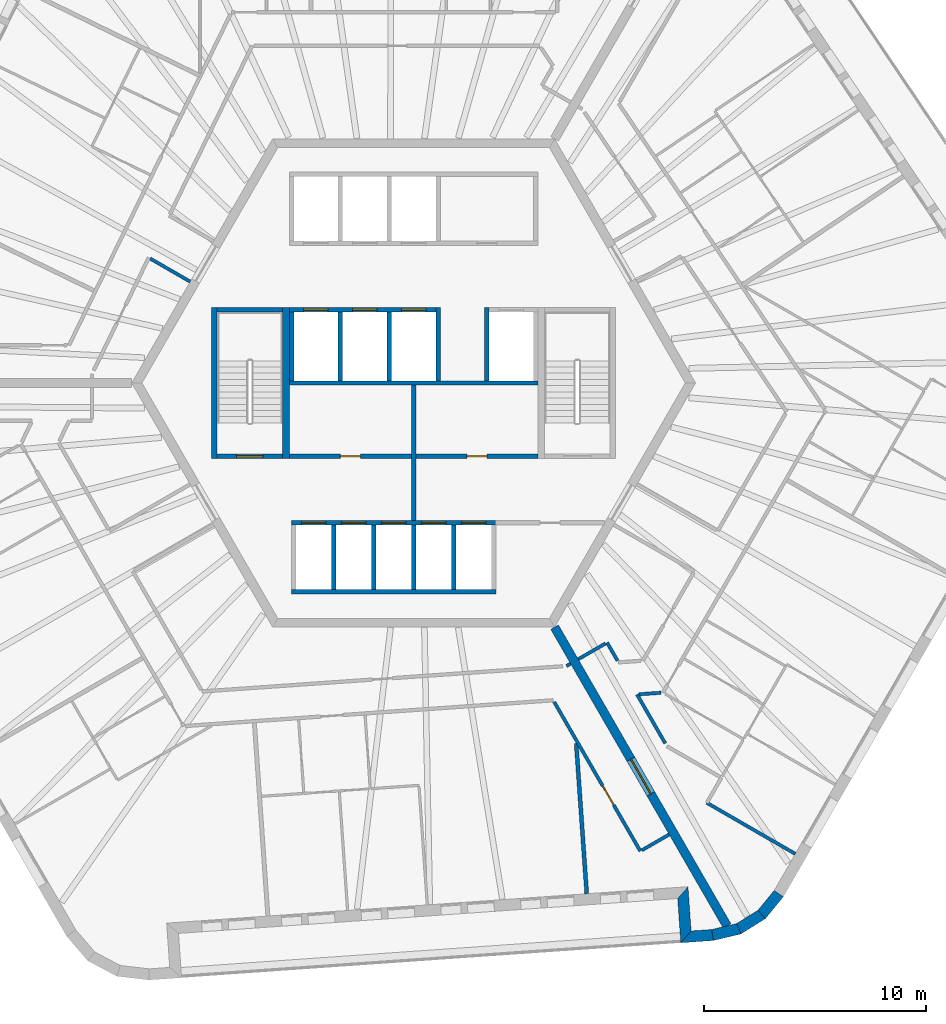
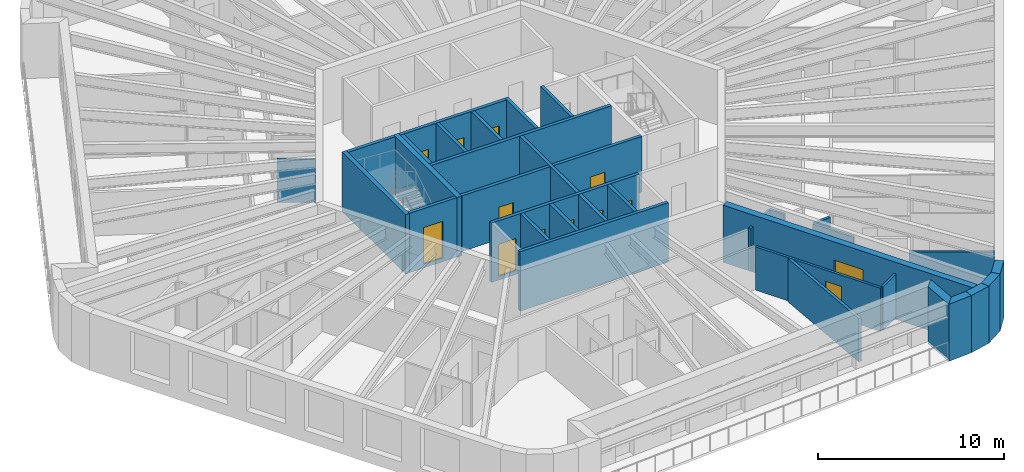
# One storey, part 5 of 12: 36 walls, 13 doors, 13 openings.
"""IFC4 building model written with IfcOpenShell, lengths in metres."""

from ifc_helpers import new_model, si_unit, direction, frame, frame_2d, origin, place, context, subcontext, project, spatial, polyline, rectangle, outline, extrude, material, layer, layer_set, type_object, element, fill, save


model = new_model("IFC4")

# Units and contexts
model_context = context("Model", 3, precision=1e-05, world=origin(), true_north=direction((0.0, 1.0)))
body_context = subcontext(model_context, "Body", "Model", "MODEL_VIEW")
ifc_project = project(units=[si_unit("LENGTHUNIT", "METRE"), si_unit("AREAUNIT", "SQUARE_METRE"), si_unit("VOLUMEUNIT", "CUBIC_METRE"), si_unit("PLANEANGLEUNIT", "RADIAN"), si_unit("MASSUNIT", "GRAM", prefix="KILO")], contexts=[model_context])

# Site, building, storey
site_placement = place(None, origin())
site = spatial("IfcSite", under=ifc_project, at=site_placement, CompositionType="ELEMENT")
building_placement = place(site_placement, origin())
building = spatial("IfcBuilding", under=site, at=building_placement, Name="Tarnside Tower", CompositionType="ELEMENT")
storey_placement = place(building_placement, frame((0.0, 0.0, 334.199951171875)))
storey = spatial("IfcBuildingStorey", under=building, at=storey_placement, Name="L81", CompositionType="ELEMENT", Elevation=334.199951171875)

# Wall, opening, door
ifc_material_1 = material(Name="Concrete C40/50", Category="concrete")
ifc_layer_1 = layer(ifc_material_1, 0.199951171875)
ifc_layer_set_1 = layer_set([ifc_layer_1], Name="Core room partition 200 C40/50")
wall_type_1 = type_object("IfcWallType", Name="Core room partition 200 C40/50", PredefinedType="PARTITIONING", material=ifc_layer_set_1)
wall_1_placement = place(storey_placement, frame((-5.60009765625, -3.300048828125, 0.0), z_axis=(0.0, 0.0, 1.0), x_axis=(1.0, 0.0, 0.0)))
wall_1 = element("IfcWall", 1, at=wall_1_placement, inside=storey, type_object=wall_type_1, Name="L81 core partition W3", PredefinedType="PARTITIONING", context=body_context, shape_type="SweptSolid", body=[
    extrude(rectangle(XDim=5.5, YDim=0.199951171875, at=frame_2d((2.75, 0.0))), origin(), (0.0, 0.0, 1.0), 3.650146484375),
])
opening_1_placement = place(wall_1_placement, frame((2.300048828125, 0.0, 0.0)))
opening_1 = element("IfcOpeningElement", 2, at=opening_1_placement, cuts=wall_1, Name="Opening CD-room", PredefinedType="OPENING", context=body_context, shape_type="SweptSolid", body=[
    extrude(rectangle(XDim=0.89990234375, YDim=2.10009765625, at=frame_2d((0.449951171875, 1.050048828125))), frame((0.0, 0.10986328125, 0.0), z_axis=(0.0, -1.0, 0.0), x_axis=(1.0, 0.0, 0.0)), (0.0, 0.0, 1.0), 0.219970703125),
])
ifc_material_2 = material(Name="Steel fire door", Category="steel")
door_type_1 = type_object("IfcDoorType", Name="Room door FD60 900x2100", OperationType="NOTDEFINED", PredefinedType="DOOR", material=ifc_material_2)
door_1_placement = place(opening_1_placement, origin())
door_1 = element("IfcDoor", 3, at=door_1_placement, inside=storey, type_object=door_type_1, Name="L81 core room door W3D", OperationType="SINGLE_SWING_LEFT", OverallHeight=2.10009765625, OverallWidth=0.89990234375, PredefinedType="DOOR", context=body_context, shape_type="SweptSolid", body=[
    extrude(rectangle(XDim=0.89990234375, YDim=2.10009765625, at=frame_2d((0.449951171875, 1.050048828125))), frame((0.0, 0.02490234375, 0.0), z_axis=(0.0, -1.0, 0.0), x_axis=(1.0, 0.0, 0.0)), (0.0, 0.0, 1.0), 0.050048828125),
])
fill(opening_1, door_1)

wall_2_placement = place(storey_placement, frame((0.10009765625, -3.300048828125, 0.0), z_axis=(0.0, 0.0, 1.0), x_axis=(1.0, 0.0, 0.0)))
wall_2 = element("IfcWall", 4, at=wall_2_placement, inside=storey, type_object=wall_type_1, Name="L81 core partition R3S1", PredefinedType="PARTITIONING", context=body_context, shape_type="SweptSolid", body=[
    extrude(rectangle(XDim=5.5, YDim=0.199951171875, at=frame_2d((2.75, 0.0))), origin(), (0.0, 0.0, 1.0), 3.650146484375),
])
opening_2_placement = place(wall_2_placement, frame((2.300048828125, 0.0, 0.0)))
opening_2 = element("IfcOpeningElement", 5, at=opening_2_placement, cuts=wall_2, Name="Opening CD-room", PredefinedType="OPENING", context=body_context, shape_type="SweptSolid", body=[
    extrude(rectangle(XDim=0.89990234375, YDim=2.10009765625, at=frame_2d((0.449951171875, 1.050048828125))), frame((0.0, 0.10986328125, 0.0), z_axis=(0.0, -1.0, 0.0), x_axis=(1.0, 0.0, 0.0)), (0.0, 0.0, 1.0), 0.219970703125),
])
door_2_placement = place(opening_2_placement, origin())
door_2 = element("IfcDoor", 6, at=door_2_placement, inside=storey, type_object=door_type_1, Name="L81 core room door SR1", OperationType="SINGLE_SWING_LEFT", OverallHeight=2.10009765625, OverallWidth=0.89990234375, PredefinedType="DOOR", context=body_context, shape_type="SweptSolid", body=[
    extrude(rectangle(XDim=0.89990234375, YDim=2.10009765625, at=frame_2d((0.449951171875, 1.050048828125))), frame((0.0, 0.02490234375, 0.0), z_axis=(0.0, -1.0, 0.0), x_axis=(1.0, 0.0, 0.0)), (0.0, 0.0, 1.0), 0.050048828125),
])
fill(opening_2, door_2)

# Wall
wall_3_placement = place(storey_placement, frame((0.0, -6.199951171875, 0.0), z_axis=(0.0, 0.0, 1.0), x_axis=(0.0, 1.0, 0.0)))
element("IfcWall", 7, at=wall_3_placement, inside=storey, type_object=wall_type_1, Name="L81 core partition X0", PredefinedType="PARTITIONING", context=body_context, shape_type="SweptSolid", body=[
    extrude(rectangle(XDim=6.099853515625, YDim=0.199951171875, at=frame_2d((3.0498046875, 0.0))), origin(), (0.0, 0.0, 1.0), 3.650146484375),
])

# Wall, opening, door
ifc_material_3 = material(Name="Concrete C60/75", Category="concrete")
ifc_layer_2 = layer(ifc_material_3, 0.39990234375)
ifc_layer_set_2 = layer_set([ifc_layer_2], Name="Core wall Z3 400 C60/75")
wall_type_2 = type_object("IfcWallType", Name="Core wall Z3 400 C60/75", PredefinedType="SHEAR", material=ifc_layer_set_2)
wall_4_placement = place(storey_placement, frame((6.350830078125, -11.0, -0.14990234375), z_axis=(0.0, 0.0, 1.0), x_axis=(0.499998894578, -0.866026041999, 0.0)))
wall_4 = element("IfcWall", 8, at=wall_4_placement, inside=storey, type_object=wall_type_2, Name="L81 spine wall 3", PredefinedType="SHEAR", context=body_context, shape_type="SweptSolid", body=[
    extrude(rectangle(XDim=15.54443359375, YDim=0.39990234375, at=frame_2d((7.772216796875, 0.0))), origin(), (0.0, 0.0, 1.0), 3.75),
])
opening_3_placement = place(wall_4_placement, frame((6.872314453125, 0.0, 0.14990234375)))
opening_3 = element("IfcOpeningElement", 9, at=opening_3_placement, cuts=wall_4, Name="Opening CD-SPN", PredefinedType="OPENING", context=body_context, shape_type="SweptSolid", body=[
    extrude(rectangle(XDim=1.800048828125, YDim=2.39990234375, at=frame_2d((0.89990234375, 1.199951171875))), frame((0.0, 0.2099609375, 0.0), z_axis=(0.0, -1.0, 0.0), x_axis=(1.0, 0.0, 0.0)), (0.0, 0.0, 1.0), 0.419921875),
])
door_type_2 = type_object("IfcDoorType", Name="Spine passage double door FD60 1800x2400", OperationType="NOTDEFINED", PredefinedType="DOOR", material=ifc_material_2)
door_3_placement = place(opening_3_placement, origin())
door_3 = element("IfcDoor", 10, at=door_3_placement, inside=storey, type_object=door_type_2, Name="L81 spine passage door 3", OperationType="DOUBLE_DOOR_SINGLE_SWING", OverallHeight=2.39990234375, OverallWidth=1.800048828125, PredefinedType="DOOR", context=body_context, shape_type="SweptSolid", body=[
    extrude(rectangle(XDim=1.800048828125, YDim=2.39990234375, at=frame_2d((0.89990234375, 1.199951171875))), frame((0.0, 0.02490234375, 0.0), z_axis=(0.0, -1.0, 0.0), x_axis=(1.0, 0.0, 0.0)), (0.0, 0.0, 1.0), 0.050048828125),
])
fill(opening_3, door_3)

# Wall
ifc_material_4 = material(Name="Gypsum board partition on steel studs", Category="steel")
ifc_layer_3 = layer(ifc_material_4, 0.14990234375)
ifc_layer_set_3 = layer_set([ifc_layer_3], Name="Corridor wall 150 EI 60")
wall_type_3 = type_object("IfcWallType", Name="Corridor wall 150 EI 60", PredefinedType="PARTITIONING", material=ifc_layer_set_3)
wall_5_placement = place(storey_placement, frame((-11.868408203125, 5.6064453125, 0.0), z_axis=(0.0, 0.0, 1.0), x_axis=(0.866033244403, -0.499986419405, 0.0)))
element("IfcWall", 11, at=wall_5_placement, inside=storey, type_object=wall_type_3, Name="Corridor wall 26025", PredefinedType="PARTITIONING", context=body_context, shape_type="SweptSolid", body=[
    extrude(rectangle(XDim=2.08154296875, YDim=0.14990234375, at=frame_2d((1.040771484375, 0.0))), origin(), (0.0, 0.0, 1.0), 2.837890625),
])

# Wall, opening, door
wall_6_placement = place(storey_placement, frame((6.33251953125, -14.3681640625, 0.0), z_axis=(0.0, 0.0, 1.0), x_axis=(0.499977396983, -0.866038453249, 0.0)))
wall_6 = element("IfcWall", 12, at=wall_6_placement, inside=storey, type_object=wall_type_3, Name="Corridor wall 26040", PredefinedType="PARTITIONING", context=body_context, shape_type="SweptSolid", body=[
    extrude(rectangle(XDim=7.764404296875, YDim=0.14990234375, at=frame_2d((3.88232421875, 0.0))), origin(), (0.0, 0.0, 1.0), 2.837890625),
])
opening_4_placement = place(wall_6_placement, frame((4.363525390625, 0.0, 0.0)))
opening_4 = element("IfcOpeningElement", 13, at=opening_4_placement, cuts=wall_6, Name="Opening D-E1", PredefinedType="OPENING", context=body_context, shape_type="SweptSolid", body=[
    extrude(rectangle(XDim=1.0, YDim=2.10009765625, at=frame_2d((0.5, 1.050048828125))), frame((0.0, 0.0849609375, 0.0), z_axis=(0.0, -1.0, 0.0), x_axis=(1.0, 0.0, 0.0)), (0.0, 0.0, 1.0), 0.169921875),
])
ifc_material_5 = material(Name="Timber door leaf", Category="wood")
door_type_3 = type_object("IfcDoorType", Name="Unit entrance door 1000 FD30S", OperationType="NOTDEFINED", PredefinedType="DOOR", material=ifc_material_5)
door_4_placement = place(opening_4_placement, origin())
door_4 = element("IfcDoor", 14, at=door_4_placement, inside=storey, type_object=door_type_3, Name="Unit door 26039", OperationType="SINGLE_SWING_RIGHT", OverallHeight=2.10009765625, OverallWidth=1.0, PredefinedType="DOOR", context=body_context, shape_type="SweptSolid", body=[
    extrude(rectangle(XDim=1.0, YDim=2.10009765625, at=frame_2d((0.5, 1.050048828125))), frame((0.0, 0.02490234375, 0.0), z_axis=(0.0, -1.0, 0.0), x_axis=(1.0, 0.0, 0.0)), (0.0, 0.0, 1.0), 0.050048828125),
])
fill(opening_4, door_4)

# Walls
wall_7_placement = place(storey_placement, frame((10.27978515625, -21.054931640625, 0.0), z_axis=(0.0, 0.0, 1.0), x_axis=(0.866020080793, 0.500009219579, 0.0)))
element("IfcWall", 15, at=wall_7_placement, inside=storey, type_object=wall_type_3, Name="Corridor wall 26044", PredefinedType="PARTITIONING", context=body_context, shape_type="SweptSolid", body=[
    extrude(rectangle(XDim=1.4248046875, YDim=0.14990234375, at=frame_2d((0.71240234375, 0.0))), origin(), (0.0, 0.0, 1.0), 2.837890625),
])
wall_8_placement = place(storey_placement, frame((7.070068359375, -12.6455078125, 0.0), z_axis=(0.0, 0.0, 1.0), x_axis=(-0.866378867349, -0.499387282788, 0.0)))
element("IfcWall", 16, at=wall_8_placement, inside=storey, type_object=wall_type_3, Name="Corridor wall 26050", PredefinedType="PARTITIONING", context=body_context, shape_type="SweptSolid", body=[
    extrude(rectangle(XDim=0.210205078125, YDim=0.14990234375, at=frame_2d((0.10498046875, 0.0))), origin(), (0.0, 0.0, 1.0), 2.837890625),
])
wall_9_placement = place(storey_placement, frame((17.196044921875, -21.215576171875, 0.0), z_axis=(0.0, 0.0, 1.0), x_axis=(-0.866032643562, 0.499987460128, 0.0)))
element("IfcWall", 17, at=wall_9_placement, inside=storey, type_object=wall_type_3, Name="Corridor wall 26058", PredefinedType="PARTITIONING", context=body_context, shape_type="SweptSolid", body=[
    extrude(rectangle(XDim=4.5986328125, YDim=0.14990234375, at=frame_2d((2.29931640625, 0.0))), origin(), (0.0, 0.0, 1.0), 2.837890625),
])
wall_10_placement = place(storey_placement, frame((11.336669921875, -16.235595703125, 0.0), z_axis=(0.0, 0.0, 1.0), x_axis=(-0.500029781311, 0.866008208854, 0.0)))
element("IfcWall", 18, at=wall_10_placement, inside=storey, type_object=wall_type_3, Name="Corridor wall 26060", PredefinedType="PARTITIONING", context=body_context, shape_type="SweptSolid", body=[
    extrude(rectangle(XDim=2.544189453125, YDim=0.14990234375, at=frame_2d((1.27197265625, 0.0))), origin(), (0.0, 0.0, 1.0), 2.837890625),
])
wall_11_placement = place(storey_placement, frame((10.147705078125, -14.0263671875, 0.0), z_axis=(0.0, 0.0, 1.0), x_axis=(0.99756238904, 0.069780226228, 0.0)))
element("IfcWall", 19, at=wall_11_placement, inside=storey, type_object=wall_type_3, Name="Corridor wall 26061", PredefinedType="PARTITIONING", context=body_context, shape_type="SweptSolid", body=[
    extrude(rectangle(XDim=0.99365234375, YDim=0.14990234375, at=frame_2d((0.496826171875, 0.0))), origin(), (0.0, 0.0, 1.0), 2.837890625),
])
wall_12_placement = place(storey_placement, frame((9.188232421875, -12.5146484375, 0.0), z_axis=(0.0, 0.0, 1.0), x_axis=(-0.499998034377, 0.866026538634, 0.0)))
element("IfcWall", 20, at=wall_12_placement, inside=storey, type_object=wall_type_3, Name="Corridor wall 26075", PredefinedType="PARTITIONING", context=body_context, shape_type="SweptSolid", body=[
    extrude(rectangle(XDim=0.94580078125, YDim=0.14990234375, at=frame_2d((0.472900390625, 0.0))), origin(), (0.0, 0.0, 1.0), 2.837890625),
])
wall_13_placement = place(storey_placement, frame((8.650390625, -11.733154296875, 0.0), z_axis=(0.0, 0.0, 1.0), x_axis=(-0.866062911188, -0.499935029643, 0.0)))
element("IfcWall", 21, at=wall_13_placement, inside=storey, type_object=wall_type_3, Name="Corridor wall 26076", PredefinedType="PARTITIONING", context=body_context, shape_type="SweptSolid", body=[
    extrude(rectangle(XDim=1.425048828125, YDim=0.14990234375, at=frame_2d((0.71240234375, 0.0))), origin(), (0.0, 0.0, 1.0), 2.837890625),
])
ifc_layer_4 = layer(ifc_material_4, 0.179931640625)
ifc_layer_set_4 = layer_set([ifc_layer_4], Name="Demising wall 180 EI 60")
wall_type_4 = type_object("IfcWallType", Name="Demising wall 180 EI 60", PredefinedType="PARTITIONING", material=ifc_layer_set_4)
wall_14_placement = place(storey_placement, frame((7.799560546875, -23.011962890625, 0.0), z_axis=(0.0, 0.0, 1.0), x_axis=(-0.069757205717, 0.997563999075, 0.0)))
element("IfcWall", 22, at=wall_14_placement, inside=storey, type_object=wall_type_4, Name="Demising wall 26131", PredefinedType="PARTITIONING", context=body_context, shape_type="SweptSolid", body=[
    extrude(rectangle(XDim=6.789794921875, YDim=0.179931640625, at=frame_2d((3.39501953125, 0.0))), origin(), (0.0, 0.0, 1.0), 2.837890625),
])

# Wall, openings, doors
ifc_layer_5 = layer(ifc_material_1, 0.199951171875)
ifc_layer_set_5 = layer_set([ifc_layer_5], Name="Lift shaft wall 200 C40/50")
wall_type_5 = type_object("IfcWallType", Name="Lift shaft wall 200 C40/50", PredefinedType="SHEAR", material=ifc_layer_set_5)
wall_15_placement = place(storey_placement, frame((-5.60009765625, 3.300048828125, -0.25), z_axis=(0.0, 0.0, 1.0), x_axis=(1.0, 0.0, 0.0)))
wall_15 = element("IfcWall", 23, at=wall_15_placement, inside=storey, type_object=wall_type_5, Name="L81 lift shaft front wall R2", PredefinedType="SHEAR", context=body_context, shape_type="SweptSolid", body=[
    extrude(rectangle(XDim=6.60009765625, YDim=0.199951171875, at=frame_2d((3.300048828125, 0.0))), origin(), (0.0, 0.0, 1.0), 3.900146484375),
])
opening_5_placement = place(wall_15_placement, frame((0.64990234375, 0.0, 0.25)))
opening_5 = element("IfcOpeningElement", 24, at=opening_5_placement, cuts=wall_15, Name="Opening LD", PredefinedType="OPENING", context=body_context, shape_type="SweptSolid", body=[
    extrude(rectangle(XDim=1.10009765625, YDim=2.10009765625, at=frame_2d((0.550048828125, 1.050048828125))), frame((0.0, 0.10986328125, 0.0), z_axis=(0.0, -1.0, 0.0), x_axis=(1.0, 0.0, 0.0)), (0.0, 0.0, 1.0), 0.219970703125),
])
opening_6_placement = place(wall_15_placement, frame((2.85009765625, 0.0, 0.25)))
opening_6 = element("IfcOpeningElement", 25, at=opening_6_placement, cuts=wall_15, Name="Opening LD", PredefinedType="OPENING", context=body_context, shape_type="SweptSolid", body=[
    extrude(rectangle(XDim=1.10009765625, YDim=2.10009765625, at=frame_2d((0.550048828125, 1.050048828125))), frame((0.0, 0.10986328125, 0.0), z_axis=(0.0, -1.0, 0.0), x_axis=(1.0, 0.0, 0.0)), (0.0, 0.0, 1.0), 0.219970703125),
])
opening_7_placement = place(wall_15_placement, frame((5.050048828125, 0.0, 0.25)))
opening_7 = element("IfcOpeningElement", 26, at=opening_7_placement, cuts=wall_15, Name="Opening LD", PredefinedType="OPENING", context=body_context, shape_type="SweptSolid", body=[
    extrude(rectangle(XDim=1.10009765625, YDim=2.10009765625, at=frame_2d((0.550048828125, 1.050048828125))), frame((0.0, 0.10986328125, 0.0), z_axis=(0.0, -1.0, 0.0), x_axis=(1.0, 0.0, 0.0)), (0.0, 0.0, 1.0), 0.219970703125),
])
ifc_material_6 = material(Name="Stainless steel", Category="steel")
door_type_4 = type_object("IfcDoorType", Name="Lift landing door 1100x2100", OperationType="NOTDEFINED", PredefinedType="DOOR", material=ifc_material_6)
door_5_placement = place(opening_5_placement, origin())
door_5 = element("IfcDoor", 27, at=door_5_placement, inside=storey, type_object=door_type_4, Name="High-rise lift 4 landing door L81", OperationType="SLIDING_TO_LEFT", OverallHeight=2.10009765625, OverallWidth=1.10009765625, PredefinedType="DOOR", context=body_context, shape_type="SweptSolid", body=[
    extrude(rectangle(XDim=1.10009765625, YDim=2.10009765625, at=frame_2d((0.550048828125, 1.050048828125))), frame((0.0, 0.02490234375, 0.0), z_axis=(0.0, -1.0, 0.0), x_axis=(1.0, 0.0, 0.0)), (0.0, 0.0, 1.0), 0.050048828125),
])
fill(opening_5, door_5)
door_6_placement = place(opening_6_placement, origin())
door_6 = element("IfcDoor", 28, at=door_6_placement, inside=storey, type_object=door_type_4, Name="High-rise lift 5 landing door L81", OperationType="SLIDING_TO_LEFT", OverallHeight=2.10009765625, OverallWidth=1.10009765625, PredefinedType="DOOR", context=body_context, shape_type="SweptSolid", body=[
    extrude(rectangle(XDim=1.10009765625, YDim=2.10009765625, at=frame_2d((0.550048828125, 1.050048828125))), frame((0.0, 0.02490234375, 0.0), z_axis=(0.0, -1.0, 0.0), x_axis=(1.0, 0.0, 0.0)), (0.0, 0.0, 1.0), 0.050048828125),
])
fill(opening_6, door_6)
door_7_placement = place(opening_7_placement, origin())
door_7 = element("IfcDoor", 29, at=door_7_placement, inside=storey, type_object=door_type_4, Name="High-rise lift 6 landing door L81", OperationType="SLIDING_TO_LEFT", OverallHeight=2.10009765625, OverallWidth=1.10009765625, PredefinedType="DOOR", context=body_context, shape_type="SweptSolid", body=[
    extrude(rectangle(XDim=1.10009765625, YDim=2.10009765625, at=frame_2d((0.550048828125, 1.050048828125))), frame((0.0, 0.02490234375, 0.0), z_axis=(0.0, -1.0, 0.0), x_axis=(1.0, 0.0, 0.0)), (0.0, 0.0, 1.0), 0.050048828125),
])
fill(opening_7, door_7)

# Walls
wall_16_placement = place(storey_placement, frame((-5.60009765625, 0.0, -0.25), z_axis=(0.0, 0.0, 1.0), x_axis=(1.0, 0.0, 0.0)))
element("IfcWall", 30, at=wall_16_placement, inside=storey, type_object=wall_type_5, Name="L81 lift shaft back wall R2", PredefinedType="SHEAR", context=body_context, shape_type="SweptSolid", body=[
    extrude(rectangle(XDim=11.2001953125, YDim=0.199951171875, at=frame_2d((5.60009765625, 0.0))), origin(), (0.0, 0.0, 1.0), 3.900146484375),
])
for number, where, z_axis, x_axis, name in (
    (31, (-5.5, 0.10009765625, -0.25), (0.0, 0.0, 1.0), (0.0, 1.0, 0.0), "L81 lift shaft partition R21"),
    (32, (-3.300048828125, 0.10009765625, -0.25), (0.0, 0.0, 1.0), (0.0, 1.0, 0.0), "L81 lift shaft partition R22"),
    (33, (-1.10009765625, 0.10009765625, -0.25), (0.0, 0.0, 1.0), (0.0, 1.0, 0.0), "L81 lift shaft partition R23"),
):
    element("IfcWall", number, at=place(storey_placement, frame(where, z_axis=z_axis, x_axis=x_axis)), inside=storey, type_object=wall_type_5, Name=name, PredefinedType="SHEAR", context=body_context, shape_type="SweptSolid", body=[
        extrude(rectangle(XDim=3.099853515625, YDim=0.199951171875, at=frame_2d((1.5498046875, 0.0))), origin(), (0.0, 0.0, 1.0), 3.900146484375),
    ])
for number, where, z_axis, x_axis, name in (
    (34, (1.10009765625, 0.10009765625, -0.25), (0.0, 0.0, 1.0), (0.0, 1.0, 0.0), "L81 lift shaft partition R24"),
    (35, (3.300048828125, 0.10009765625, -0.25), (0.0, 0.0, 1.0), (0.0, 1.0, 0.0), "L81 lift shaft partition R25"),
):
    element("IfcWall", number, at=place(storey_placement, frame(where, z_axis=z_axis, x_axis=x_axis)), inside=storey, type_object=wall_type_5, Name=name, PredefinedType="SHEAR", context=body_context, shape_type="SweptSolid", body=[
        extrude(rectangle(XDim=3.2998046875, YDim=0.199951171875, at=frame_2d((1.64990234375, 0.0))), origin(), (0.0, 0.0, 1.0), 3.900146484375),
    ])

# Wall, openings, doors
wall_17_placement = place(storey_placement, frame((-5.5, -6.300048828125, -0.25), z_axis=(0.0, 0.0, 1.0), x_axis=(1.0, 0.0, 0.0)))
wall_17 = element("IfcWall", 36, at=wall_17_placement, inside=storey, type_object=wall_type_5, Name="L81 lift shaft front wall R4", PredefinedType="SHEAR", context=body_context, shape_type="SweptSolid", body=[
    extrude(rectangle(XDim=9.199951171875, YDim=0.199951171875, at=frame_2d((4.60009765625, 0.0))), origin(), (0.0, 0.0, 1.0), 3.900146484375),
])
opening_8_placement = place(wall_17_placement, frame((0.449951171875, 0.0, 0.25)))
opening_8 = element("IfcOpeningElement", 37, at=opening_8_placement, cuts=wall_17, Name="Opening LDF", PredefinedType="OPENING", context=body_context, shape_type="SweptSolid", body=[
    extrude(rectangle(XDim=1.10009765625, YDim=2.10009765625, at=frame_2d((0.550048828125, 1.050048828125))), frame((0.0, 0.10986328125, 0.0), z_axis=(0.0, -1.0, 0.0), x_axis=(1.0, 0.0, 0.0)), (0.0, 0.0, 1.0), 0.219970703125),
])
opening_9_placement = place(wall_17_placement, frame((2.25, 0.0, 0.25)))
opening_9 = element("IfcOpeningElement", 38, at=opening_9_placement, cuts=wall_17, Name="Opening LDF", PredefinedType="OPENING", context=body_context, shape_type="SweptSolid", body=[
    extrude(rectangle(XDim=1.10009765625, YDim=2.10009765625, at=frame_2d((0.550048828125, 1.050048828125))), frame((0.0, 0.10986328125, 0.0), z_axis=(0.0, -1.0, 0.0), x_axis=(1.0, 0.0, 0.0)), (0.0, 0.0, 1.0), 0.219970703125),
])
opening_10_placement = place(wall_17_placement, frame((4.050048828125, 0.0, 0.25)))
opening_10 = element("IfcOpeningElement", 39, at=opening_10_placement, cuts=wall_17, Name="Opening LDF", PredefinedType="OPENING", context=body_context, shape_type="SweptSolid", body=[
    extrude(rectangle(XDim=1.10009765625, YDim=2.10009765625, at=frame_2d((0.550048828125, 1.050048828125))), frame((0.0, 0.10986328125, 0.0), z_axis=(0.0, -1.0, 0.0), x_axis=(1.0, 0.0, 0.0)), (0.0, 0.0, 1.0), 0.219970703125),
])
opening_11_placement = place(wall_17_placement, frame((5.85009765625, 0.0, 0.25)))
opening_11 = element("IfcOpeningElement", 40, at=opening_11_placement, cuts=wall_17, Name="Opening LDF", PredefinedType="OPENING", context=body_context, shape_type="SweptSolid", body=[
    extrude(rectangle(XDim=1.10009765625, YDim=2.10009765625, at=frame_2d((0.550048828125, 1.050048828125))), frame((0.0, 0.10986328125, 0.0), z_axis=(0.0, -1.0, 0.0), x_axis=(1.0, 0.0, 0.0)), (0.0, 0.0, 1.0), 0.219970703125),
])
opening_12_placement = place(wall_17_placement, frame((7.64990234375, 0.0, 0.25)))
opening_12 = element("IfcOpeningElement", 41, at=opening_12_placement, cuts=wall_17, Name="Opening LDF", PredefinedType="OPENING", context=body_context, shape_type="SweptSolid", body=[
    extrude(rectangle(XDim=1.10009765625, YDim=2.10009765625, at=frame_2d((0.550048828125, 1.050048828125))), frame((0.0, 0.10986328125, 0.0), z_axis=(0.0, -1.0, 0.0), x_axis=(1.0, 0.0, 0.0)), (0.0, 0.0, 1.0), 0.219970703125),
])
door_type_5 = type_object("IfcDoorType", Name="Lift landing door 1100x2100 EI 120", OperationType="NOTDEFINED", PredefinedType="DOOR", material=ifc_material_6)
door_8_placement = place(opening_8_placement, origin())
door_8 = element("IfcDoor", 42, at=door_8_placement, inside=storey, type_object=door_type_5, Name="Firefighting lift 1 landing door L81", OperationType="SLIDING_TO_LEFT", OverallHeight=2.10009765625, OverallWidth=1.10009765625, PredefinedType="DOOR", context=body_context, shape_type="SweptSolid", body=[
    extrude(rectangle(XDim=1.10009765625, YDim=2.10009765625, at=frame_2d((0.550048828125, 1.050048828125))), frame((0.0, 0.02490234375, 0.0), z_axis=(0.0, -1.0, 0.0), x_axis=(1.0, 0.0, 0.0)), (0.0, 0.0, 1.0), 0.050048828125),
])
fill(opening_8, door_8)
door_9_placement = place(opening_9_placement, origin())
door_9 = element("IfcDoor", 43, at=door_9_placement, inside=storey, type_object=door_type_5, Name="Firefighting lift 2 landing door L81", OperationType="SLIDING_TO_LEFT", OverallHeight=2.10009765625, OverallWidth=1.10009765625, PredefinedType="DOOR", context=body_context, shape_type="SweptSolid", body=[
    extrude(rectangle(XDim=1.10009765625, YDim=2.10009765625, at=frame_2d((0.550048828125, 1.050048828125))), frame((0.0, 0.02490234375, 0.0), z_axis=(0.0, -1.0, 0.0), x_axis=(1.0, 0.0, 0.0)), (0.0, 0.0, 1.0), 0.050048828125),
])
fill(opening_9, door_9)
door_10_placement = place(opening_10_placement, origin())
door_10 = element("IfcDoor", 44, at=door_10_placement, inside=storey, type_object=door_type_5, Name="Firefighting lift 3 landing door L81", OperationType="SLIDING_TO_LEFT", OverallHeight=2.10009765625, OverallWidth=1.10009765625, PredefinedType="DOOR", context=body_context, shape_type="SweptSolid", body=[
    extrude(rectangle(XDim=1.10009765625, YDim=2.10009765625, at=frame_2d((0.550048828125, 1.050048828125))), frame((0.0, 0.02490234375, 0.0), z_axis=(0.0, -1.0, 0.0), x_axis=(1.0, 0.0, 0.0)), (0.0, 0.0, 1.0), 0.050048828125),
])
fill(opening_10, door_10)
door_11_placement = place(opening_11_placement, origin())
door_11 = element("IfcDoor", 45, at=door_11_placement, inside=storey, type_object=door_type_5, Name="Firefighting lift 4 landing door L81", OperationType="SLIDING_TO_LEFT", OverallHeight=2.10009765625, OverallWidth=1.10009765625, PredefinedType="DOOR", context=body_context, shape_type="SweptSolid", body=[
    extrude(rectangle(XDim=1.10009765625, YDim=2.10009765625, at=frame_2d((0.550048828125, 1.050048828125))), frame((0.0, 0.02490234375, 0.0), z_axis=(0.0, -1.0, 0.0), x_axis=(1.0, 0.0, 0.0)), (0.0, 0.0, 1.0), 0.050048828125),
])
fill(opening_11, door_11)
door_12_placement = place(opening_12_placement, origin())
door_12 = element("IfcDoor", 46, at=door_12_placement, inside=storey, type_object=door_type_5, Name="Firefighting lift 5 landing door L81", OperationType="SLIDING_TO_LEFT", OverallHeight=2.10009765625, OverallWidth=1.10009765625, PredefinedType="DOOR", context=body_context, shape_type="SweptSolid", body=[
    extrude(rectangle(XDim=1.10009765625, YDim=2.10009765625, at=frame_2d((0.550048828125, 1.050048828125))), frame((0.0, 0.02490234375, 0.0), z_axis=(0.0, -1.0, 0.0), x_axis=(1.0, 0.0, 0.0)), (0.0, 0.0, 1.0), 0.050048828125),
])
fill(opening_12, door_12)

# Walls
wall_18_placement = place(storey_placement, frame((-5.5, -9.39990234375, -0.25), z_axis=(0.0, 0.0, 1.0), x_axis=(1.0, 0.0, 0.0)))
element("IfcWall", 47, at=wall_18_placement, inside=storey, type_object=wall_type_5, Name="L81 lift shaft back wall R4", PredefinedType="SHEAR", context=body_context, shape_type="SweptSolid", body=[
    extrude(rectangle(XDim=9.199951171875, YDim=0.199951171875, at=frame_2d((4.60009765625, 0.0))), origin(), (0.0, 0.0, 1.0), 3.900146484375),
])
for number, where, z_axis, x_axis, name in (
    (48, (-3.60009765625, -9.300048828125, -0.25), (0.0, 0.0, 1.0), (0.0, 1.0, 0.0), "L81 lift shaft partition R42"),
    (49, (-1.800048828125, -9.300048828125, -0.25), (0.0, 0.0, 1.0), (0.0, 1.0, 0.0), "L81 lift shaft partition R43"),
    (50, (0.0, -9.300048828125, -0.25), (0.0, 0.0, 1.0), (0.0, 1.0, 0.0), "L81 lift shaft partition R44"),
    (51, (1.800048828125, -9.300048828125, -0.25), (0.0, 0.0, 1.0), (0.0, 1.0, 0.0), "L81 lift shaft partition R45"),
):
    element("IfcWall", number, at=place(storey_placement, frame(where, z_axis=z_axis, x_axis=x_axis)), inside=storey, type_object=wall_type_5, Name=name, PredefinedType="SHEAR", context=body_context, shape_type="SweptSolid", body=[
        extrude(rectangle(XDim=2.900146484375, YDim=0.199951171875, at=frame_2d((1.4501953125, 0.0))), origin(), (0.0, 0.0, 1.0), 3.900146484375),
    ])
wall_19_placement = place(storey_placement, frame((-8.85009765625, 3.300048828125, -0.25), z_axis=(0.0, 0.0, 1.0), x_axis=(1.0, 0.0, 0.0)))
element("IfcWall", 52, at=wall_19_placement, inside=storey, type_object=wall_type_5, Name="L81 stair 2 enclosure cap wall n", PredefinedType="SHEAR", context=body_context, shape_type="SweptSolid", body=[
    extrude(rectangle(XDim=2.9501953125, YDim=0.199951171875, at=frame_2d((1.47509765625, 0.0))), origin(), (0.0, 0.0, 1.0), 3.900146484375),
])

# Wall, opening, door
wall_20_placement = place(storey_placement, frame((-8.85009765625, -3.300048828125, -0.25), z_axis=(0.0, 0.0, 1.0), x_axis=(1.0, 0.0, 0.0)))
wall_20 = element("IfcWall", 53, at=wall_20_placement, inside=storey, type_object=wall_type_5, Name="L81 stair 2 enclosure cap wall s", PredefinedType="SHEAR", context=body_context, shape_type="SweptSolid", body=[
    extrude(rectangle(XDim=2.9501953125, YDim=0.199951171875, at=frame_2d((1.47509765625, 0.0))), origin(), (0.0, 0.0, 1.0), 3.900146484375),
])
opening_13_placement = place(wall_20_placement, frame((0.875, 0.0, 0.25)))
opening_13 = element("IfcOpeningElement", 54, at=opening_13_placement, cuts=wall_20, Name="Opening CD-STR", PredefinedType="OPENING", context=body_context, shape_type="SweptSolid", body=[
    extrude(rectangle(XDim=1.199951171875, YDim=2.39990234375, at=frame_2d((0.60009765625, 1.199951171875))), frame((0.0, 0.10986328125, 0.0), z_axis=(0.0, -1.0, 0.0), x_axis=(1.0, 0.0, 0.0)), (0.0, 0.0, 1.0), 0.219970703125),
])
door_type_6 = type_object("IfcDoorType", Name="Stair door FD60S 1200x2400", OperationType="NOTDEFINED", PredefinedType="DOOR", material=ifc_material_2)
door_13_placement = place(opening_13_placement, origin())
door_13 = element("IfcDoor", 55, at=door_13_placement, inside=storey, type_object=door_type_6, Name="L81 stair 2 door", OperationType="SINGLE_SWING_LEFT", OverallHeight=2.39990234375, OverallWidth=1.199951171875, PredefinedType="DOOR", context=body_context, shape_type="SweptSolid", body=[
    extrude(rectangle(XDim=1.199951171875, YDim=2.39990234375, at=frame_2d((0.60009765625, 1.199951171875))), frame((0.0, 0.02490234375, 0.0), z_axis=(0.0, -1.0, 0.0), x_axis=(1.0, 0.0, 0.0)), (0.0, 0.0, 1.0), 0.050048828125),
])
fill(opening_13, door_13)

# Walls
ifc_material_7 = material(Name="Dark zinc cladding")
ifc_layer_6 = layer(ifc_material_7, 0.10205078125)
ifc_material_8 = material(Name="Concrete C60/75 precast", Category="concrete")
ifc_layer_7 = layer(ifc_material_8, 0.298095703125)
ifc_material_9 = material(Name="Mineral wool insulation")
ifc_layer_8 = layer(ifc_material_9, 0.10009765625)
ifc_layer_set_6 = layer_set([ifc_layer_6, ifc_layer_7, ifc_layer_8], Name="Loggia wall 500 zinc faced")
wall_type_6 = type_object("IfcWallType", Name="Loggia wall 500 zinc faced", PredefinedType="SOLIDWALL", material=ifc_layer_set_6)
wall_21_placement = place(storey_placement, frame((12.128662109375, -22.9599609375, -0.14990234375), z_axis=(0.0, 0.0, 1.0), x_axis=(0.069824268692, -0.99755930726, 0.0)))
element("IfcWall", 56, at=wall_21_placement, inside=storey, type_object=wall_type_6, Name="Tube wall L81 F4 return 19", PredefinedType="SOLIDWALL", context=body_context, shape_type="SweptSolid", body=[
    extrude(outline(polyline([(0.25, -0.25), (2.25, -0.25), (1.75, 0.25), (-0.25, 0.25), (0.25, -0.25)])), origin(), (0.0, 0.0, 1.0), 3.75),
])
wall_22_placement = place(storey_placement, frame((12.268310546875, -24.955078125, -0.14990234375), z_axis=(0.0, 0.0, 1.0), x_axis=(0.997561942506, 0.06978660948, 0.0)))
element("IfcWall", 57, at=wall_22_placement, inside=storey, type_object=wall_type_6, Name="Tube wall L81 F4 stub 20", PredefinedType="SOLIDWALL", context=body_context, shape_type="SweptSolid", body=[
    extrude(outline(polyline([(-0.25, -0.25), (1.220458984375, -0.25), (1.179443359375, 0.25), (0.25, 0.25), (-0.25, -0.25)])), origin(), (0.0, 0.0, 1.0), 3.75),
])
ifc_layer_9 = layer(ifc_material_1, 0.25)
ifc_layer_set_7 = layer_set([ifc_layer_9], Name="Stair enclosure wall 250 C40/50")
wall_type_7 = type_object("IfcWallType", Name="Stair enclosure wall 250 C40/50", PredefinedType="SHEAR", material=ifc_layer_set_7)
wall_23_placement = place(storey_placement, frame((-8.97509765625, -3.39990234375, -0.25), z_axis=(0.0, 0.0, 1.0), x_axis=(0.0, 1.0, 0.0)))
element("IfcWall", 58, at=wall_23_placement, inside=storey, type_object=wall_type_7, Name="L81 stair 2 enclosure wall outer", PredefinedType="SHEAR", context=body_context, shape_type="SweptSolid", body=[
    extrude(rectangle(XDim=6.7998046875, YDim=0.25, at=frame_2d((3.39990234375, 0.0))), origin(), (0.0, 0.0, 1.0), 3.900146484375),
])
ifc_layer_10 = layer(ifc_material_1, 0.300048828125)
ifc_layer_set_8 = layer_set([ifc_layer_10], Name="Stair enclosure wall 300 C40/50")
wall_type_8 = type_object("IfcWallType", Name="Stair enclosure wall 300 C40/50", PredefinedType="SHEAR", material=ifc_layer_set_8)
wall_24_placement = place(storey_placement, frame((-5.75, -3.39990234375, -0.25), z_axis=(0.0, 0.0, 1.0), x_axis=(0.0, 1.0, 0.0)))
element("IfcWall", 59, at=wall_24_placement, inside=storey, type_object=wall_type_8, Name="L81 stair 2 enclosure wall inner", PredefinedType="SHEAR", context=body_context, shape_type="SweptSolid", body=[
    extrude(rectangle(XDim=6.7998046875, YDim=0.300048828125, at=frame_2d((3.39990234375, 0.0))), origin(), (0.0, 0.0, 1.0), 3.900146484375),
])
ifc_material_10 = material(Name="Facing brick", Category="masonry")
ifc_layer_11 = layer(ifc_material_10, 0.10205078125)
ifc_layer_12 = layer(ifc_material_8, 0.298095703125)
ifc_layer_13 = layer(ifc_material_9, 0.10009765625)
ifc_layer_set_9 = layer_set([ifc_layer_11, ifc_layer_12, ifc_layer_13], Name="Tube wall 500 brick faced")
wall_type_9 = type_object("IfcWallType", Name="Tube wall 500 brick faced", PredefinedType="SOLIDWALL", material=ifc_layer_set_9)
wall_25_placement = place(storey_placement, frame((13.46533203125, -24.871337890625, -0.14990234375), z_axis=(0.0, 0.0, 1.0), x_axis=(0.973044740285, 0.230616420501, 0.0)))
element("IfcWall", 60, at=wall_25_placement, inside=storey, type_object=wall_type_9, Name="Tube wall L81 F4 chord 21", PredefinedType="SOLIDWALL", context=body_context, shape_type="SweptSolid", body=[
    extrude(outline(polyline([(-0.0205078125, -0.25), (1.25732421875, -0.25), (1.17529296875, 0.25), (0.0205078125, 0.25), (-0.0205078125, -0.25)])), origin(), (0.0, 0.0, 1.0), 3.75),
])
wall_26_placement = place(storey_placement, frame((14.64892578125, -24.5908203125, -0.14990234375), z_axis=(0.0, 0.0, 1.0), x_axis=(0.848054682072, 0.529908724419, 0.0)))
element("IfcWall", 61, at=wall_26_placement, inside=storey, type_object=wall_type_9, Name="Tube wall L81 F4 chord 22", PredefinedType="SOLIDWALL", context=body_context, shape_type="SweptSolid", body=[
    extrude(outline(polyline([(-0.041015625, -0.25), (1.25732421875, -0.25), (1.17529296875, 0.25), (0.041015625, 0.25), (-0.041015625, -0.25)])), origin(), (0.0, 0.0, 1.0), 3.75),
])
wall_27_placement = place(storey_placement, frame((15.680419921875, -23.9462890625, -0.14990234375), z_axis=(0.0, 0.0, 1.0), x_axis=(0.633805934167, 0.773492105852, 0.0)))
element("IfcWall", 62, at=wall_27_placement, inside=storey, type_object=wall_type_9, Name="Tube wall L81 F4 chord 23", PredefinedType="SOLIDWALL", context=body_context, shape_type="SweptSolid", body=[
    extrude(outline(polyline([(-0.041015625, -0.25), (1.237060546875, -0.25), (1.196044921875, 0.25), (0.041015625, 0.25), (-0.041015625, -0.25)])), origin(), (0.0, 0.0, 1.0), 3.75),
])

save(model, "model.ifc")
